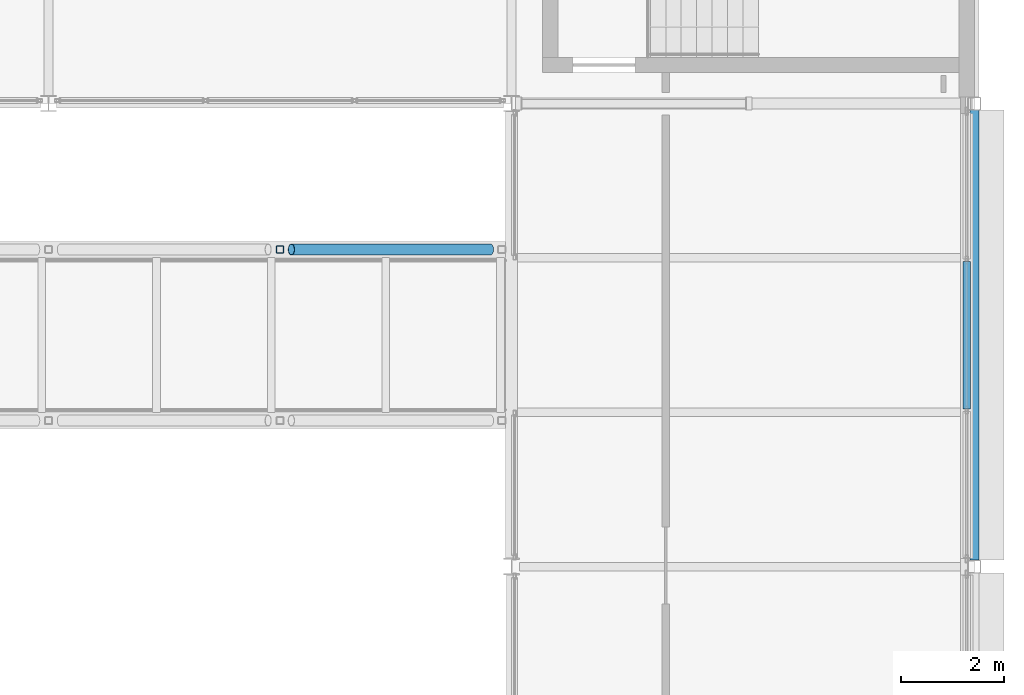
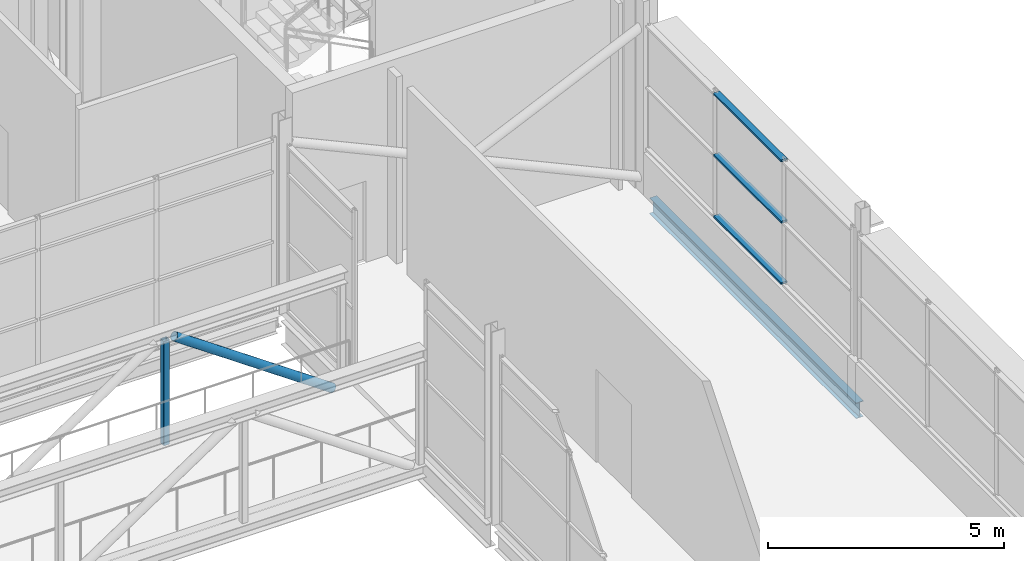
# One storey, part 51 of 94: 5 members, 1 beam, 1 element without a shape of its own.
"""IFC4 building model written with IfcOpenShell, lengths in metres."""

from ifc_helpers import new_model, si_unit, direction, frame, origin, origin_2d, place, context, subcontext, project, spatial, hollow_rectangle, hollow_circle, i_section, extrude, material, layer, layer_set, material_profile, profile_set, type_object, element, aggregate, save


model = new_model("IFC4")

# Units and contexts
model_context = context("Model", 3, precision=1e-05, world=origin(), true_north=direction((0.0, 1.0)))
body_context = subcontext(model_context, "Body", "Model", "MODEL_VIEW")
ifc_project = project(units=[si_unit("LENGTHUNIT", "METRE"), si_unit("AREAUNIT", "SQUARE_METRE"), si_unit("VOLUMEUNIT", "CUBIC_METRE"), si_unit("PLANEANGLEUNIT", "RADIAN"), si_unit("MASSUNIT", "GRAM", prefix="KILO")], contexts=[model_context])

# Site, building, storey
site_placement = place(None, origin())
site = spatial("IfcSite", under=ifc_project, at=site_placement, CompositionType="ELEMENT")
building_placement = place(site_placement, origin())
building = spatial("IfcBuilding", under=site, at=building_placement, Name="Shorebreak Coast Museum", CompositionType="ELEMENT")
storey_placement = place(building_placement, frame((0.0, 0.0, 31.0)))
storey = spatial("IfcBuildingStorey", under=building, at=storey_placement, Name="L05", CompositionType="ELEMENT", Elevation=31.0)

# Members
ifc_material_1 = material(Name="Steel Grade C350L0", Category="steel")
ifc_material_profile_1 = material_profile(ifc_material_1, hollow_circle(Radius=0.109619140625, WallThickness=0.00830078125, at=origin_2d()), Name="219.1x8.2 CHS")
ifc_profile_set_1 = profile_set([ifc_material_profile_1], Name="Steel Grade C350L0")
member_type_1 = type_object("IfcMemberType", Name="Atrium bridge truss diagonal 219.1x8.2 CHS", PredefinedType="BRACE", material=ifc_profile_set_1)
member_1_placement = place(storey_placement, frame((107.589111328125, 78.16259765625, -0.175048828125), z_axis=(-0.820764739415, 0.0, 0.571266349904), x_axis=(0.0, -1.0, 0.0)))
element("IfcMember", 1, at=member_1_placement, inside=storey, type_object=member_type_1, Name="Atrium bridge truss BR3 side B diagonal D10", PredefinedType="BRACE", context=body_context, shape_type="SweptSolid", body=[
    extrude(hollow_circle(Radius=0.109619140625, WallThickness=0.00830078125, at=origin_2d()), origin(), (0.0, 0.0, 1.0), 4.712646484375),
])
ifc_material_2 = material(Name="Steel Grade C450L0", Category="steel")
ifc_material_profile_2 = material_profile(ifc_material_2, hollow_rectangle(XDim=0.14990234375, YDim=0.14990234375, WallThickness=0.009033203125, InnerFilletRadius=0.013427734375, OuterFilletRadius=0.0224609375, at=origin_2d()), Name="150x150x9.0 SHS")
ifc_profile_set_2 = profile_set([ifc_material_profile_2], Name="Steel Grade C450L0")
member_type_2 = type_object("IfcMemberType", Name="Atrium bridge truss strut 150x150x9.0 SHS", PredefinedType="STRUT", material=ifc_profile_set_2)
member_2_placement = place(storey_placement, frame((103.5, 78.16259765625, -0.175048828125), z_axis=(0.0, 0.0, 1.0), x_axis=(1.0, 0.0, 0.0)))
element("IfcMember", 2, at=member_2_placement, inside=storey, type_object=member_type_2, Name="Atrium bridge truss BR3 side B strut V10", PredefinedType="STRUT", context=body_context, shape_type="SweptSolid", body=[
    extrude(hollow_rectangle(XDim=0.14990234375, YDim=0.14990234375, WallThickness=0.009033203125, InnerFilletRadius=0.013427734375, OuterFilletRadius=0.0224609375, at=origin_2d()), origin(), (0.0, 0.0, 1.0), 2.692138671875),
])

# Beam
ifc_material_3 = material(Name="Steel Grade 300", Category="steel")
ifc_material_profile_3 = material_profile(ifc_material_3, i_section(OverallWidth=0.177978515625, OverallDepth=0.406494140625, WebThickness=0.0078125, FlangeThickness=0.0126953125, FilletRadius=0.011474609375, at=origin_2d()), Name="410UB59.7")
ifc_profile_set_3 = profile_set([ifc_material_profile_3], Name="Steel Grade 300")
beam_type = type_object("IfcBeamType", Name="Floor girder north-south 410UB59.7", PredefinedType="BEAM", material=ifc_profile_set_3)
beam_placement = place(storey_placement, frame((117.0, 72.125, -0.378173828125), z_axis=(0.0, 1.0, 0.0), x_axis=(-1.0, 0.0, 0.0)))
element("IfcBeam", 3, at=beam_placement, inside=storey, type_object=beam_type, Name="Floor girder north-south L05 14J", PredefinedType="BEAM", context=body_context, shape_type="SweptSolid", body=[
    extrude(i_section(OverallWidth=0.177978515625, OverallDepth=0.406494140625, WebThickness=0.0078125, FlangeThickness=0.0126953125, FilletRadius=0.011474609375, at=origin_2d()), origin(), (0.0, 0.0, 1.0), 8.75),
])

# Curtain wall, members
ifc_material_4 = material(Name="Aluminium", Category="aluminium")
ifc_layer = layer(ifc_material_4, 0.14990234375)
ifc_layer_set = layer_set([ifc_layer], Name="Aluminium")
curtain_wall_type = type_object("IfcCurtainWallType", Name="Storefront curtain wall", PredefinedType="NOTDEFINED", material=ifc_layer_set)
curtain_wall_placement = place(storey_placement, origin())
curtain_wall = element("IfcCurtainWall", 4, at=curtain_wall_placement, inside=storey, type_object=curtain_wall_type, Name="Atrium Hall glazing L05 E 12", PredefinedType="NOTDEFINED")
ifc_material_5 = material(Name="Aluminium", Category="aluminium")
ifc_material_profile_4 = material_profile(ifc_material_5, hollow_rectangle(XDim=0.14990234375, YDim=0.050048828125, WallThickness=0.00390625, at=origin_2d()), Name="AL 50x150 RHS")
ifc_profile_set_4 = profile_set([ifc_material_profile_4], Name="Aluminium")
member_type_3 = type_object("IfcMemberType", Name="Storefront transom 150 x 50", PredefinedType="USERDEFINED", material=ifc_profile_set_4)
member_3_placement = place(storey_placement, frame((116.85009765625, 75.066650390625, 1.175048828125), z_axis=(0.0, 1.0, 0.0), x_axis=(-1.0, 0.0, 0.0)))
member_3 = element("IfcMember", 5, at=member_3_placement, type_object=member_type_3, Name="CW5 transom 2.1", ObjectType="TRANSOM", PredefinedType="USERDEFINED", context=body_context, shape_type="SweptSolid", body=[
    extrude(hollow_rectangle(XDim=0.14990234375, YDim=0.050048828125, WallThickness=0.00390625, at=origin_2d()), origin(), (0.0, 0.0, 1.0), 2.86669921875),
])
member_4_placement = place(storey_placement, frame((116.85009765625, 75.066650390625, 2.75927734375), z_axis=(0.0, 1.0, 0.0), x_axis=(-1.0, 0.0, 0.0)))
member_4 = element("IfcMember", 6, at=member_4_placement, type_object=member_type_3, Name="CW5 transom 2.2", ObjectType="TRANSOM", PredefinedType="USERDEFINED", context=body_context, shape_type="SweptSolid", body=[
    extrude(hollow_rectangle(XDim=0.14990234375, YDim=0.050048828125, WallThickness=0.00390625, at=origin_2d()), origin(), (0.0, 0.0, 1.0), 2.86669921875),
])
member_5_placement = place(storey_placement, frame((116.85009765625, 75.066650390625, 4.343505859375), z_axis=(0.0, 1.0, 0.0), x_axis=(-1.0, 0.0, 0.0)))
member_5 = element("IfcMember", 7, at=member_5_placement, type_object=member_type_3, Name="CW5 transom 2.3", ObjectType="TRANSOM", PredefinedType="USERDEFINED", context=body_context, shape_type="SweptSolid", body=[
    extrude(hollow_rectangle(XDim=0.14990234375, YDim=0.050048828125, WallThickness=0.00390625, at=origin_2d()), origin(), (0.0, 0.0, 1.0), 2.86669921875),
])
aggregate(curtain_wall, [member_3, member_4, member_5])

save(model, "model.ifc")
